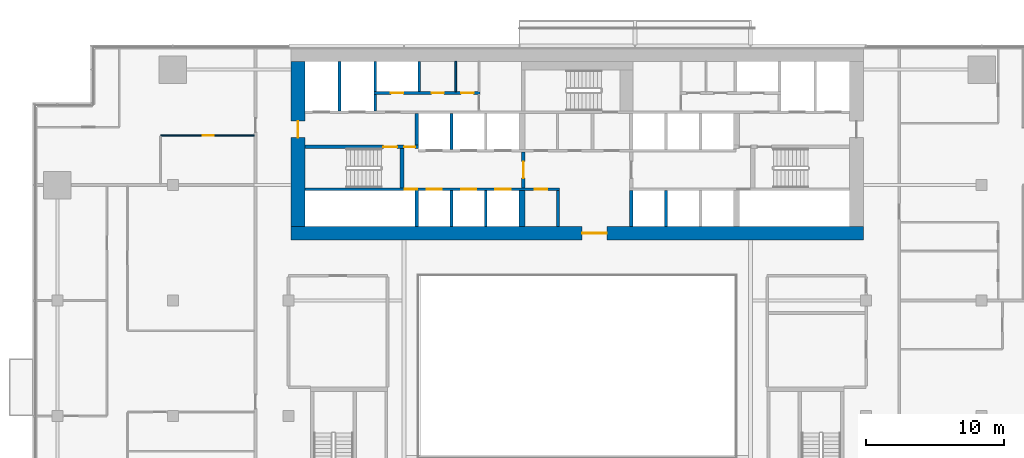
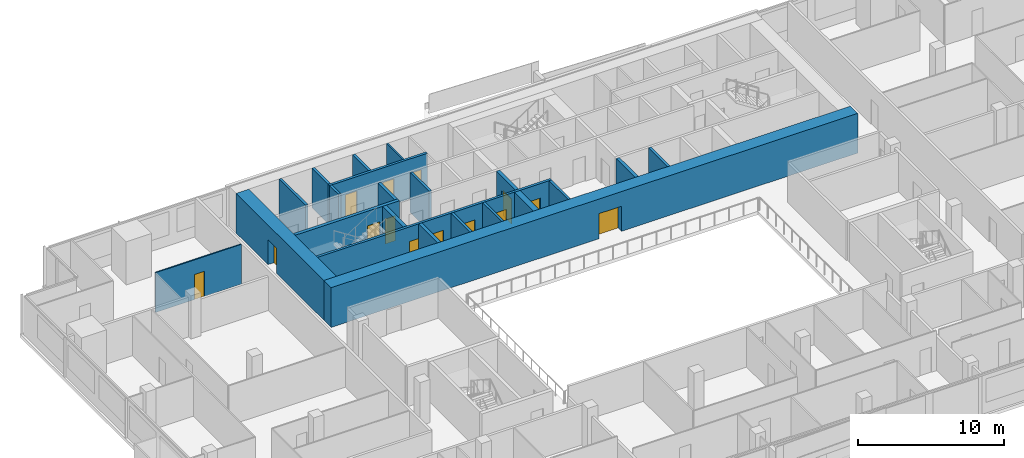
# One storey, part 20 of 26: 22 walls, 14 doors, 14 openings.
"""IFC4 building model written with IfcOpenShell, lengths in metres."""

from ifc_helpers import new_model, si_unit, direction, frame, frame_2d, origin, place, context, subcontext, project, spatial, rectangle, extrude, material, layer, layer_set, type_object, element, fill, save


model = new_model("IFC4")

# Units and contexts
model_context = context("Model", 3, precision=1e-05, world=origin(), true_north=direction((0.0, 1.0)))
body_context = subcontext(model_context, "Body", "Model", "MODEL_VIEW")
ifc_project = project(units=[si_unit("LENGTHUNIT", "METRE"), si_unit("AREAUNIT", "SQUARE_METRE"), si_unit("VOLUMEUNIT", "CUBIC_METRE"), si_unit("PLANEANGLEUNIT", "RADIAN"), si_unit("MASSUNIT", "GRAM", prefix="KILO")], contexts=[model_context])

# Site, building, storey
site_placement = place(None, origin())
site = spatial("IfcSite", under=ifc_project, at=site_placement, CompositionType="ELEMENT")
building_placement = place(site_placement, origin())
building = spatial("IfcBuilding", under=site, at=building_placement, Name="Saffron Gate Tower", CompositionType="ELEMENT")
storey_placement = place(building_placement, frame((0.0, 0.0, 120.449951171875)))
storey = spatial("IfcBuildingStorey", under=building, at=storey_placement, Name="L28", CompositionType="ELEMENT", Elevation=120.449951171875)

# Wall
ifc_material_1 = material(Name="Gypsum board partition on steel studs", Category="steel")
ifc_layer_1 = layer(ifc_material_1, 0.199951171875)
ifc_layer_set_1 = layer_set([ifc_layer_1], Name="CW10 Core partition 200")
wall_type_1 = type_object("IfcWallType", Name="CW10 Core partition 200", PredefinedType="PARTITIONING", material=ifc_layer_set_1)
wall_1_placement = place(storey_placement, frame((86.199951171875, 62.39990234375, 0.0), z_axis=(0.0, 0.0, 1.0), x_axis=(0.0, 1.0, 0.0)))
element("IfcWall", 1, at=wall_1_placement, inside=storey, type_object=wall_type_1, Name="Wall CW10-L28-9", PredefinedType="PARTITIONING", context=body_context, shape_type="SweptSolid", body=[
    extrude(rectangle(XDim=2.60009765625, YDim=0.199951171875, at=frame_2d((1.300048828125, 0.0))), origin(), (0.0, 0.0, 1.0), 3.320068359375),
])

# Wall, opening, door
ifc_material_2 = material(Name="Concrete C70", Category="concrete")
ifc_layer_2 = layer(ifc_material_2, 1.0)
ifc_layer_set_2 = layer_set([ifc_layer_2], Name="CW12 RC core wall 1000 C70")
wall_type_2 = type_object("IfcWallType", Name="CW12 RC core wall 1000 C70", PredefinedType="SOLIDWALL", material=ifc_layer_set_2)
wall_2_placement = place(storey_placement, frame((66.800048828125, 61.89990234375, 0.0), z_axis=(0.0, 0.0, 1.0), x_axis=(1.0, 0.0, 0.0)))
wall_2 = element("IfcWall", 2, at=wall_2_placement, inside=storey, type_object=wall_type_2, Name="Wall CW12-L28-1", PredefinedType="SOLIDWALL", context=body_context, shape_type="SweptSolid", body=[
    extrude(rectangle(XDim=41.599853515625, YDim=1.0, at=frame_2d((20.7998046875, 0.0))), origin(), (0.0, 0.0, 1.0), 3.320068359375),
])
opening_1_placement = place(wall_2_placement, frame((21.14990234375, 0.0, 0.0)))
opening_1 = element("IfcOpeningElement", 3, at=opening_1_placement, cuts=wall_2, Name="Opening CR-09", PredefinedType="OPENING", context=body_context, shape_type="SweptSolid", body=[
    extrude(rectangle(XDim=1.800048828125, YDim=2.10009765625, at=frame_2d((0.89990234375, 1.050048828125))), frame((0.0, 0.510009765625, 0.0), z_axis=(0.0, -1.0, 0.0), x_axis=(1.0, 0.0, 0.0)), (0.0, 0.0, 1.0), 1.02001953125),
])
ifc_material_3 = material(Name="Steel fire door set", Category="steel")
door_type_1 = type_object("IfcDoorType", Name="CD1 Core entrance door 1800x2100 EI 120", OperationType="NOTDEFINED", PredefinedType="DOOR", material=ifc_material_3)
door_1_placement = place(opening_1_placement, origin())
door_1 = element("IfcDoor", 4, at=door_1_placement, inside=storey, type_object=door_type_1, Name="DOOR CR-09", OperationType="DOUBLE_DOOR_SINGLE_SWING", OverallHeight=2.10009765625, OverallWidth=1.800048828125, PredefinedType="DOOR", context=body_context, shape_type="SweptSolid", body=[
    extrude(rectangle(XDim=1.800048828125, YDim=2.10009765625, at=frame_2d((0.89990234375, 1.050048828125))), frame((0.0, 0.02490234375, 0.0), z_axis=(0.0, -1.0, 0.0), x_axis=(1.0, 0.0, 0.0)), (0.0, 0.0, 1.0), 0.050048828125),
])
fill(opening_1, door_1)

wall_3_placement = place(storey_placement, frame((67.300048828125, 62.39990234375, 0.0), z_axis=(0.0, 0.0, 1.0), x_axis=(0.0, 1.0, 0.0)))
wall_3 = element("IfcWall", 5, at=wall_3_placement, inside=storey, type_object=wall_type_2, Name="Wall CW12-L28-3", PredefinedType="SOLIDWALL", context=body_context, shape_type="SweptSolid", body=[
    extrude(rectangle(XDim=12.0, YDim=1.0, at=frame_2d((6.0, 0.0))), origin(), (0.0, 0.0, 1.0), 3.320068359375),
])
opening_2_placement = place(wall_3_placement, frame((6.449951171875, 0.0, 0.0)))
opening_2 = element("IfcOpeningElement", 6, at=opening_2_placement, cuts=wall_3, Name="Opening CR-10", PredefinedType="OPENING", context=body_context, shape_type="SweptSolid", body=[
    extrude(rectangle(XDim=1.199951171875, YDim=2.10009765625, at=frame_2d((0.60009765625, 1.050048828125))), frame((0.0, 0.510009765625, 0.0), z_axis=(0.0, -1.0, 0.0), x_axis=(1.0, 0.0, 0.0)), (0.0, 0.0, 1.0), 1.02001953125),
])
door_type_2 = type_object("IfcDoorType", Name="CD7 Core entrance door 1200x2100 EI 120", OperationType="NOTDEFINED", PredefinedType="DOOR", material=ifc_material_3)
door_2_placement = place(opening_2_placement, origin())
door_2 = element("IfcDoor", 7, at=door_2_placement, inside=storey, type_object=door_type_2, Name="DOOR CR-10", OperationType="SINGLE_SWING_LEFT", OverallHeight=2.10009765625, OverallWidth=1.199951171875, PredefinedType="DOOR", context=body_context, shape_type="SweptSolid", body=[
    extrude(rectangle(XDim=1.199951171875, YDim=2.10009765625, at=frame_2d((0.60009765625, 1.050048828125))), frame((0.0, 0.02490234375, 0.0), z_axis=(0.0, -1.0, 0.0), x_axis=(1.0, 0.0, 0.0)), (0.0, 0.0, 1.0), 0.050048828125),
])
fill(opening_2, door_2)

# Walls
ifc_layer_3 = layer(ifc_material_2, 0.25)
ifc_layer_set_3 = layer_set([ifc_layer_3], Name="CW2 RC core wall 250 C70")
wall_type_3 = type_object("IfcWallType", Name="CW2 RC core wall 250 C70", PredefinedType="SOLIDWALL", material=ifc_layer_set_3)
for number, where, z_axis, x_axis, name in (
    (8, (75.925048828125, 62.39990234375, 0.0), (0.0, 0.0, 1.0), (0.0, 1.0, 0.0), "Wall CW2-L28-5"),
    (9, (91.52490234375, 62.39990234375, 0.0), (0.0, 0.0, 1.0), (0.0, 1.0, 0.0), "Wall CW2-L28-10"),
):
    element("IfcWall", number, at=place(storey_placement, frame(where, z_axis=z_axis, x_axis=x_axis)), inside=storey, type_object=wall_type_3, Name=name, PredefinedType="SOLIDWALL", context=body_context, shape_type="SweptSolid", body=[
        extrude(rectangle(XDim=2.60009765625, YDim=0.25, at=frame_2d((1.300048828125, 0.0))), origin(), (0.0, 0.0, 1.0), 3.320068359375),
    ])

# Wall, opening, door
wall_4_placement = place(storey_placement, frame((83.675048828125, 65.199951171875, 0.0), z_axis=(0.0, 0.0, 1.0), x_axis=(0.0, 1.0, 0.0)))
wall_4 = element("IfcWall", 10, at=wall_4_placement, inside=storey, type_object=wall_type_3, Name="Wall CW2-L28-17", PredefinedType="SOLIDWALL", context=body_context, shape_type="SweptSolid", body=[
    extrude(rectangle(XDim=2.60009765625, YDim=0.25, at=frame_2d((1.300048828125, 0.0))), origin(), (0.0, 0.0, 1.0), 3.320068359375),
])
opening_3_placement = place(wall_4_placement, frame((0.699951171875, 0.0, 0.0)))
opening_3 = element("IfcOpeningElement", 11, at=opening_3_placement, cuts=wall_4, Name="Opening CR-07", PredefinedType="OPENING", context=body_context, shape_type="SweptSolid", body=[
    extrude(rectangle(XDim=1.199951171875, YDim=2.10009765625, at=frame_2d((0.60009765625, 1.050048828125))), frame((0.0, 0.135009765625, 0.0), z_axis=(0.0, -1.0, 0.0), x_axis=(1.0, 0.0, 0.0)), (0.0, 0.0, 1.0), 0.27001953125),
])
door_type_3 = type_object("IfcDoorType", Name="CD3 Lobby door 1200x2100 EI 120", OperationType="NOTDEFINED", PredefinedType="DOOR", material=ifc_material_3)
door_3_placement = place(opening_3_placement, origin())
door_3 = element("IfcDoor", 12, at=door_3_placement, inside=storey, type_object=door_type_3, Name="DOOR CR-07", OperationType="SINGLE_SWING_RIGHT", OverallHeight=2.10009765625, OverallWidth=1.199951171875, PredefinedType="DOOR", context=body_context, shape_type="SweptSolid", body=[
    extrude(rectangle(XDim=1.199951171875, YDim=2.10009765625, at=frame_2d((0.60009765625, 1.050048828125))), frame((0.0, 0.02490234375, 0.0), z_axis=(0.0, -1.0, 0.0), x_axis=(1.0, 0.0, 0.0)), (0.0, 0.0, 1.0), 0.050048828125),
])
fill(opening_3, door_3)

# Wall, openings, doors
wall_5_placement = place(storey_placement, frame((67.800048828125, 68.175048828125, 0.0), z_axis=(0.0, 0.0, 1.0), x_axis=(1.0, 0.0, 0.0)))
wall_5 = element("IfcWall", 13, at=wall_5_placement, inside=storey, type_object=wall_type_3, Name="Wall CW2-L28-30", PredefinedType="SOLIDWALL", context=body_context, shape_type="SweptSolid", body=[
    extrude(rectangle(XDim=8.25, YDim=0.25, at=frame_2d((4.125, 0.0))), origin(), (0.0, 0.0, 1.0), 3.320068359375),
])
opening_4_placement = place(wall_5_placement, frame((5.699951171875, 0.0, 0.0)))
opening_4 = element("IfcOpeningElement", 14, at=opening_4_placement, cuts=wall_5, Name="Opening CR-15", PredefinedType="OPENING", context=body_context, shape_type="SweptSolid", body=[
    extrude(rectangle(XDim=1.0, YDim=2.10009765625, at=frame_2d((0.5, 1.050048828125))), frame((0.0, 0.135009765625, 0.0), z_axis=(0.0, -1.0, 0.0), x_axis=(1.0, 0.0, 0.0)), (0.0, 0.0, 1.0), 0.27001953125),
])
opening_5_placement = place(wall_5_placement, frame((7.199951171875, 0.0, 0.0)))
opening_5 = element("IfcOpeningElement", 15, at=opening_5_placement, cuts=wall_5, Name="Opening CR-06", PredefinedType="OPENING", context=body_context, shape_type="SweptSolid", body=[
    extrude(rectangle(XDim=0.800048828125, YDim=2.10009765625, at=frame_2d((0.39990234375, 1.050048828125))), frame((0.0, 0.135009765625, 0.0), z_axis=(0.0, -1.0, 0.0), x_axis=(1.0, 0.0, 0.0)), (0.0, 0.0, 1.0), 0.27001953125),
])
door_type_4 = type_object("IfcDoorType", Name="CD5 Stair door 1000x2100 EI 120", OperationType="NOTDEFINED", PredefinedType="DOOR", material=ifc_material_3)
door_4_placement = place(opening_4_placement, origin())
door_4 = element("IfcDoor", 16, at=door_4_placement, inside=storey, type_object=door_type_4, Name="DOOR CR-15", OperationType="SINGLE_SWING_RIGHT", OverallHeight=2.10009765625, OverallWidth=1.0, PredefinedType="DOOR", context=body_context, shape_type="SweptSolid", body=[
    extrude(rectangle(XDim=1.0, YDim=2.10009765625, at=frame_2d((0.5, 1.050048828125))), frame((0.0, 0.02490234375, 0.0), z_axis=(0.0, -1.0, 0.0), x_axis=(1.0, 0.0, 0.0)), (0.0, 0.0, 1.0), 0.050048828125),
])
fill(opening_4, door_4)
door_type_5 = type_object("IfcDoorType", Name="CD6 Lobby door 800x2100 EI 120", OperationType="NOTDEFINED", PredefinedType="DOOR", material=ifc_material_3)
door_5_placement = place(opening_5_placement, origin())
door_5 = element("IfcDoor", 17, at=door_5_placement, inside=storey, type_object=door_type_5, Name="DOOR CR-06", OperationType="SINGLE_SWING_LEFT", OverallHeight=2.10009765625, OverallWidth=0.800048828125, PredefinedType="DOOR", context=body_context, shape_type="SweptSolid", body=[
    extrude(rectangle(XDim=0.800048828125, YDim=2.10009765625, at=frame_2d((0.39990234375, 1.050048828125))), frame((0.0, 0.02490234375, 0.0), z_axis=(0.0, -1.0, 0.0), x_axis=(1.0, 0.0, 0.0)), (0.0, 0.0, 1.0), 0.050048828125),
])
fill(opening_5, door_5)

# Walls
wall_6_placement = place(storey_placement, frame((75.925048828125, 68.300048828125, 0.0), z_axis=(0.0, 0.0, 1.0), x_axis=(0.0, 1.0, 0.0)))
element("IfcWall", 18, at=wall_6_placement, inside=storey, type_object=wall_type_3, Name="Wall CW2-L28-32", PredefinedType="SOLIDWALL", context=body_context, shape_type="SweptSolid", body=[
    extrude(rectangle(XDim=2.300048828125, YDim=0.25, at=frame_2d((1.14990234375, 0.0))), origin(), (0.0, 0.0, 1.0), 3.320068359375),
])
ifc_layer_4 = layer(ifc_material_2, 0.199951171875)
ifc_layer_set_4 = layer_set([ifc_layer_4], Name="CW3 RC core wall 200 C70")
wall_type_4 = type_object("IfcWallType", Name="CW3 RC core wall 200 C70", PredefinedType="SOLIDWALL", material=ifc_layer_set_4)
for number, where, z_axis, x_axis, name in (
    (19, (78.449951171875, 62.39990234375, 0.0), (0.0, 0.0, 1.0), (0.0, 1.0, 0.0), "Wall CW3-L28-6"),
    (20, (80.949951171875, 62.39990234375, 0.0), (0.0, 0.0, 1.0), (0.0, 1.0, 0.0), "Wall CW3-L28-7"),
    (21, (94.050048828125, 62.39990234375, 0.0), (0.0, 0.0, 1.0), (0.0, 1.0, 0.0), "Wall CW3-L28-11"),
):
    element("IfcWall", number, at=place(storey_placement, frame(where, z_axis=z_axis, x_axis=x_axis)), inside=storey, type_object=wall_type_4, Name=name, PredefinedType="SOLIDWALL", context=body_context, shape_type="SweptSolid", body=[
        extrude(rectangle(XDim=2.60009765625, YDim=0.199951171875, at=frame_2d((1.300048828125, 0.0))), origin(), (0.0, 0.0, 1.0), 3.320068359375),
    ])

# Wall, openings, doors
wall_7_placement = place(storey_placement, frame((67.800048828125, 65.10009765625, 0.0), z_axis=(0.0, 0.0, 1.0), x_axis=(1.0, 0.0, 0.0)))
wall_7 = element("IfcWall", 22, at=wall_7_placement, inside=storey, type_object=wall_type_4, Name="Wall CW3-L28-14", PredefinedType="SOLIDWALL", context=body_context, shape_type="SweptSolid", body=[
    extrude(rectangle(XDim=18.5, YDim=0.199951171875, at=frame_2d((9.25, 0.0))), origin(), (0.0, 0.0, 1.0), 3.320068359375),
])
opening_6_placement = place(wall_7_placement, frame((7.27001953125, 0.0, 0.0)))
opening_6 = element("IfcOpeningElement", 23, at=opening_6_placement, cuts=wall_7, Name="Opening CR-49", PredefinedType="OPENING", context=body_context, shape_type="SweptSolid", body=[
    extrude(rectangle(XDim=0.89990234375, YDim=2.10009765625, at=frame_2d((0.449951171875, 1.050048828125))), frame((0.0, 0.10986328125, 0.0), z_axis=(0.0, -1.0, 0.0), x_axis=(1.0, 0.0, 0.0)), (0.0, 0.0, 1.0), 0.219970703125),
])
opening_7_placement = place(wall_7_placement, frame((8.85009765625, 0.0, 0.0)))
opening_7 = element("IfcOpeningElement", 24, at=opening_7_placement, cuts=wall_7, Name="Opening LD-LR1", PredefinedType="OPENING", context=body_context, shape_type="SweptSolid", body=[
    extrude(rectangle(XDim=1.10009765625, YDim=2.10009765625, at=frame_2d((0.550048828125, 1.050048828125))), frame((0.0, 0.10986328125, 0.0), z_axis=(0.0, -1.0, 0.0), x_axis=(1.0, 0.0, 0.0)), (0.0, 0.0, 1.0), 0.219970703125),
])
opening_8_placement = place(wall_7_placement, frame((11.35009765625, 0.0, 0.0)))
opening_8 = element("IfcOpeningElement", 25, at=opening_8_placement, cuts=wall_7, Name="Opening LD-LR2", PredefinedType="OPENING", context=body_context, shape_type="SweptSolid", body=[
    extrude(rectangle(XDim=1.10009765625, YDim=2.10009765625, at=frame_2d((0.550048828125, 1.050048828125))), frame((0.0, 0.10986328125, 0.0), z_axis=(0.0, -1.0, 0.0), x_axis=(1.0, 0.0, 0.0)), (0.0, 0.0, 1.0), 0.219970703125),
])
opening_9_placement = place(wall_7_placement, frame((13.85009765625, 0.0, 0.0)))
opening_9 = element("IfcOpeningElement", 26, at=opening_9_placement, cuts=wall_7, Name="Opening LD-LR3", PredefinedType="OPENING", context=body_context, shape_type="SweptSolid", body=[
    extrude(rectangle(XDim=1.10009765625, YDim=2.10009765625, at=frame_2d((0.550048828125, 1.050048828125))), frame((0.0, 0.10986328125, 0.0), z_axis=(0.0, -1.0, 0.0), x_axis=(1.0, 0.0, 0.0)), (0.0, 0.0, 1.0), 0.219970703125),
])
opening_10_placement = place(wall_7_placement, frame((16.699951171875, 0.0, 0.0)))
opening_10 = element("IfcOpeningElement", 27, at=opening_10_placement, cuts=wall_7, Name="Opening CR-69", PredefinedType="OPENING", context=body_context, shape_type="SweptSolid", body=[
    extrude(rectangle(XDim=0.89990234375, YDim=2.10009765625, at=frame_2d((0.449951171875, 1.050048828125))), frame((0.0, 0.10986328125, 0.0), z_axis=(0.0, -1.0, 0.0), x_axis=(1.0, 0.0, 0.0)), (0.0, 0.0, 1.0), 0.219970703125),
])
door_type_6 = type_object("IfcDoorType", Name="CD2 Riser door 900x2100 EI 60", OperationType="NOTDEFINED", PredefinedType="DOOR", material=ifc_material_3)
door_6_placement = place(opening_6_placement, origin())
door_6 = element("IfcDoor", 28, at=door_6_placement, inside=storey, type_object=door_type_6, Name="DOOR CR-49", OperationType="SINGLE_SWING_LEFT", OverallHeight=2.10009765625, OverallWidth=0.89990234375, PredefinedType="DOOR", context=body_context, shape_type="SweptSolid", body=[
    extrude(rectangle(XDim=0.89990234375, YDim=2.10009765625, at=frame_2d((0.449951171875, 1.050048828125))), frame((0.0, 0.02490234375, 0.0), z_axis=(0.0, -1.0, 0.0), x_axis=(1.0, 0.0, 0.0)), (0.0, 0.0, 1.0), 0.050048828125),
])
fill(opening_6, door_6)
door_type_7 = type_object("IfcDoorType", Name="CD9 Room door 900x2100 EI 60", OperationType="NOTDEFINED", PredefinedType="DOOR", material=ifc_material_3)
door_7_placement = place(opening_10_placement, origin())
door_7 = element("IfcDoor", 29, at=door_7_placement, inside=storey, type_object=door_type_7, Name="DOOR CR-69", OperationType="SINGLE_SWING_RIGHT", OverallHeight=2.10009765625, OverallWidth=0.89990234375, PredefinedType="DOOR", context=body_context, shape_type="SweptSolid", body=[
    extrude(rectangle(XDim=0.89990234375, YDim=2.10009765625, at=frame_2d((0.449951171875, 1.050048828125))), frame((0.0, 0.02490234375, 0.0), z_axis=(0.0, -1.0, 0.0), x_axis=(1.0, 0.0, 0.0)), (0.0, 0.0, 1.0), 0.050048828125),
])
fill(opening_10, door_7)
ifc_material_4 = material(Name="Stainless steel landing door", Category="steel")
door_type_8 = type_object("IfcDoorType", Name="LD Lift landing door 1100x2100 EI 120", OperationType="SLIDING_TO_LEFT", PredefinedType="DOOR", material=ifc_material_4)
door_8_placement = place(opening_7_placement, origin())
door_8 = element("IfcDoor", 30, at=door_8_placement, inside=storey, type_object=door_type_8, Name="LANDING DOOR LD-LR1", OperationType="SLIDING_TO_LEFT", OverallHeight=2.10009765625, OverallWidth=1.10009765625, PredefinedType="DOOR", context=body_context, shape_type="SweptSolid", body=[
    extrude(rectangle(XDim=1.10009765625, YDim=2.10009765625, at=frame_2d((0.550048828125, 1.050048828125))), frame((0.0, 0.02490234375, 0.0), z_axis=(0.0, -1.0, 0.0), x_axis=(1.0, 0.0, 0.0)), (0.0, 0.0, 1.0), 0.050048828125),
])
fill(opening_7, door_8)
door_9_placement = place(opening_8_placement, origin())
door_9 = element("IfcDoor", 31, at=door_9_placement, inside=storey, type_object=door_type_8, Name="LANDING DOOR LD-LR2", OperationType="SLIDING_TO_LEFT", OverallHeight=2.10009765625, OverallWidth=1.10009765625, PredefinedType="DOOR", context=body_context, shape_type="SweptSolid", body=[
    extrude(rectangle(XDim=1.10009765625, YDim=2.10009765625, at=frame_2d((0.550048828125, 1.050048828125))), frame((0.0, 0.02490234375, 0.0), z_axis=(0.0, -1.0, 0.0), x_axis=(1.0, 0.0, 0.0)), (0.0, 0.0, 1.0), 0.050048828125),
])
fill(opening_8, door_9)
door_10_placement = place(opening_9_placement, origin())
door_10 = element("IfcDoor", 32, at=door_10_placement, inside=storey, type_object=door_type_8, Name="LANDING DOOR LD-LR3", OperationType="SLIDING_TO_LEFT", OverallHeight=2.10009765625, OverallWidth=1.10009765625, PredefinedType="DOOR", context=body_context, shape_type="SweptSolid", body=[
    extrude(rectangle(XDim=1.10009765625, YDim=2.10009765625, at=frame_2d((0.550048828125, 1.050048828125))), frame((0.0, 0.02490234375, 0.0), z_axis=(0.0, -1.0, 0.0), x_axis=(1.0, 0.0, 0.0)), (0.0, 0.0, 1.0), 0.050048828125),
])
fill(opening_9, door_10)

# Walls
wall_8_placement = place(storey_placement, frame((78.449951171875, 68.0, 0.0), z_axis=(0.0, 0.0, 1.0), x_axis=(0.0, 1.0, 0.0)))
element("IfcWall", 33, at=wall_8_placement, inside=storey, type_object=wall_type_4, Name="Wall CW3-L28-21", PredefinedType="SOLIDWALL", context=body_context, shape_type="SweptSolid", body=[
    extrude(rectangle(XDim=2.60009765625, YDim=0.199951171875, at=frame_2d((1.300048828125, 0.0))), origin(), (0.0, 0.0, 1.0), 3.320068359375),
])
wall_9_placement = place(storey_placement, frame((70.300048828125, 70.800048828125, 0.0), z_axis=(0.0, 0.0, 1.0), x_axis=(0.0, 1.0, 0.0)))
element("IfcWall", 34, at=wall_9_placement, inside=storey, type_object=wall_type_4, Name="Wall CW3-L28-35", PredefinedType="SOLIDWALL", context=body_context, shape_type="SweptSolid", body=[
    extrude(rectangle(XDim=3.599853515625, YDim=0.199951171875, at=frame_2d((1.7998046875, 0.0))), origin(), (0.0, 0.0, 1.0), 3.320068359375),
])
wall_10_placement = place(storey_placement, frame((72.89990234375, 70.800048828125, 0.0), z_axis=(0.0, 0.0, 1.0), x_axis=(0.0, 1.0, 0.0)))
element("IfcWall", 35, at=wall_10_placement, inside=storey, type_object=wall_type_4, Name="Wall CW3-L28-36", PredefinedType="SOLIDWALL", context=body_context, shape_type="SweptSolid", body=[
    extrude(rectangle(XDim=1.199951171875, YDim=0.199951171875, at=frame_2d((0.60009765625, 0.0))), origin(), (0.0, 0.0, 1.0), 3.320068359375),
])

# Wall, openings, doors
wall_11_placement = place(storey_placement, frame((72.800048828125, 72.10009765625, 0.0), z_axis=(0.0, 0.0, 1.0), x_axis=(1.0, 0.0, 0.0)))
wall_11 = element("IfcWall", 36, at=wall_11_placement, inside=storey, type_object=wall_type_4, Name="Wall CW3-L28-43", PredefinedType="SOLIDWALL", context=body_context, shape_type="SweptSolid", body=[
    extrude(rectangle(XDim=7.719970703125, YDim=0.199951171875, at=frame_2d((3.85986328125, 0.0))), origin(), (0.0, 0.0, 1.0), 3.320068359375),
])
opening_11_placement = place(wall_11_placement, frame((1.25, 0.0, 0.0)))
opening_11 = element("IfcOpeningElement", 37, at=opening_11_placement, cuts=wall_11, Name="Opening CR-71", PredefinedType="OPENING", context=body_context, shape_type="SweptSolid", body=[
    extrude(rectangle(XDim=0.89990234375, YDim=2.10009765625, at=frame_2d((0.449951171875, 1.050048828125))), frame((0.0, 0.10986328125, 0.0), z_axis=(0.0, -1.0, 0.0), x_axis=(1.0, 0.0, 0.0)), (0.0, 0.0, 1.0), 0.219970703125),
])
opening_12_placement = place(wall_11_placement, frame((4.199951171875, 0.0, 0.0)))
opening_12 = element("IfcOpeningElement", 38, at=opening_12_placement, cuts=wall_11, Name="Opening CR-55", PredefinedType="OPENING", context=body_context, shape_type="SweptSolid", body=[
    extrude(rectangle(XDim=0.89990234375, YDim=2.10009765625, at=frame_2d((0.449951171875, 1.050048828125))), frame((0.0, 0.10986328125, 0.0), z_axis=(0.0, -1.0, 0.0), x_axis=(1.0, 0.0, 0.0)), (0.0, 0.0, 1.0), 0.219970703125),
])
opening_13_placement = place(wall_11_placement, frame((6.360107421875, 0.0, 0.0)))
opening_13 = element("IfcOpeningElement", 39, at=opening_13_placement, cuts=wall_11, Name="Opening CR-58", PredefinedType="OPENING", context=body_context, shape_type="SweptSolid", body=[
    extrude(rectangle(XDim=0.89990234375, YDim=2.10009765625, at=frame_2d((0.449951171875, 1.050048828125))), frame((0.0, 0.10986328125, 0.0), z_axis=(0.0, -1.0, 0.0), x_axis=(1.0, 0.0, 0.0)), (0.0, 0.0, 1.0), 0.219970703125),
])
door_11_placement = place(opening_11_placement, origin())
door_11 = element("IfcDoor", 40, at=door_11_placement, inside=storey, type_object=door_type_6, Name="DOOR CR-71", OperationType="SINGLE_SWING_LEFT", OverallHeight=2.10009765625, OverallWidth=0.89990234375, PredefinedType="DOOR", context=body_context, shape_type="SweptSolid", body=[
    extrude(rectangle(XDim=0.89990234375, YDim=2.10009765625, at=frame_2d((0.449951171875, 1.050048828125))), frame((0.0, 0.02490234375, 0.0), z_axis=(0.0, -1.0, 0.0), x_axis=(1.0, 0.0, 0.0)), (0.0, 0.0, 1.0), 0.050048828125),
])
fill(opening_11, door_11)
door_12_placement = place(opening_12_placement, origin())
door_12 = element("IfcDoor", 41, at=door_12_placement, inside=storey, type_object=door_type_7, Name="DOOR CR-55", OperationType="SINGLE_SWING_LEFT", OverallHeight=2.10009765625, OverallWidth=0.89990234375, PredefinedType="DOOR", context=body_context, shape_type="SweptSolid", body=[
    extrude(rectangle(XDim=0.89990234375, YDim=2.10009765625, at=frame_2d((0.449951171875, 1.050048828125))), frame((0.0, 0.02490234375, 0.0), z_axis=(0.0, -1.0, 0.0), x_axis=(1.0, 0.0, 0.0)), (0.0, 0.0, 1.0), 0.050048828125),
])
fill(opening_12, door_12)
door_13_placement = place(opening_13_placement, origin())
door_13 = element("IfcDoor", 42, at=door_13_placement, inside=storey, type_object=door_type_7, Name="DOOR CR-58", OperationType="SINGLE_SWING_LEFT", OverallHeight=2.10009765625, OverallWidth=0.89990234375, PredefinedType="DOOR", context=body_context, shape_type="SweptSolid", body=[
    extrude(rectangle(XDim=0.89990234375, YDim=2.10009765625, at=frame_2d((0.449951171875, 1.050048828125))), frame((0.0, 0.02490234375, 0.0), z_axis=(0.0, -1.0, 0.0), x_axis=(1.0, 0.0, 0.0)), (0.0, 0.0, 1.0), 0.050048828125),
])
fill(opening_13, door_13)

# Walls
for number, where, z_axis, x_axis, name in (
    (43, (72.89990234375, 72.199951171875, 0.0), (0.0, 0.0, 1.0), (0.0, 1.0, 0.0), "Wall CW3-L28-45"),
    (44, (76.10009765625, 72.199951171875, 0.0), (0.0, 0.0, 1.0), (0.0, 1.0, 0.0), "Wall CW3-L28-46"),
):
    element("IfcWall", number, at=place(storey_placement, frame(where, z_axis=z_axis, x_axis=x_axis)), inside=storey, type_object=wall_type_4, Name=name, PredefinedType="SOLIDWALL", context=body_context, shape_type="SweptSolid", body=[
        extrude(rectangle(XDim=2.199951171875, YDim=0.199951171875, at=frame_2d((1.10009765625, 0.0))), origin(), (0.0, 0.0, 1.0), 3.320068359375),
    ])
ifc_layer_5 = layer(ifc_material_2, 0.449951171875)
ifc_layer_set_5 = layer_set([ifc_layer_5], Name="CW4 RC core wall 450 C70")
wall_type_5 = type_object("IfcWallType", Name="CW4 RC core wall 450 C70", PredefinedType="SOLIDWALL", material=ifc_layer_set_5)
wall_12_placement = place(storey_placement, frame((83.574951171875, 62.39990234375, 0.0), z_axis=(0.0, 0.0, 1.0), x_axis=(0.0, 1.0, 0.0)))
element("IfcWall", 45, at=wall_12_placement, inside=storey, type_object=wall_type_5, Name="Wall CW4-L28-8", PredefinedType="SOLIDWALL", context=body_context, shape_type="SweptSolid", body=[
    extrude(rectangle(XDim=2.60009765625, YDim=0.449951171875, at=frame_2d((1.300048828125, 0.0))), origin(), (0.0, 0.0, 1.0), 3.320068359375),
])
ifc_layer_6 = layer(ifc_material_2, 0.300048828125)
ifc_layer_set_6 = layer_set([ifc_layer_6], Name="CW5 RC core wall 300 C70")
wall_type_6 = type_object("IfcWallType", Name="CW5 RC core wall 300 C70", PredefinedType="SOLIDWALL", material=ifc_layer_set_6)
wall_13_placement = place(storey_placement, frame((74.85009765625, 65.199951171875, 0.0), z_axis=(0.0, 0.0, 1.0), x_axis=(0.0, 1.0, 0.0)))
element("IfcWall", 46, at=wall_13_placement, inside=storey, type_object=wall_type_6, Name="Wall CW5-L28-16", PredefinedType="SOLIDWALL", context=body_context, shape_type="SweptSolid", body=[
    extrude(rectangle(XDim=2.85009765625, YDim=0.300048828125, at=frame_2d((1.425048828125, 0.0))), origin(), (0.0, 0.0, 1.0), 3.320068359375),
])
ifc_layer_7 = layer(ifc_material_1, 0.1201171875)
ifc_layer_set_7 = layer_set([ifc_layer_7], Name="CW8 Core partition 120")
wall_type_7 = type_object("IfcWallType", Name="CW8 Core partition 120", PredefinedType="PARTITIONING", material=ifc_layer_set_7)
wall_14_placement = place(storey_placement, frame((78.760009765625, 72.199951171875, 0.0), z_axis=(0.0, 0.0, 1.0), x_axis=(0.0, 1.0, 0.0)))
element("IfcWall", 47, at=wall_14_placement, inside=storey, type_object=wall_type_7, Name="Wall CW8-L28-47", PredefinedType="PARTITIONING", context=body_context, shape_type="SweptSolid", body=[
    extrude(rectangle(XDim=2.199951171875, YDim=0.1201171875, at=frame_2d((1.10009765625, 0.0))), origin(), (0.0, 0.0, 1.0), 3.320068359375),
])

# Wall, opening, door
ifc_material_5 = material(Name="Plasterboard on steel studs", Category="steel")
ifc_layer_8 = layer(ifc_material_5, 0.10009765625)
ifc_layer_set_8 = layer_set([ifc_layer_8], Name="PW1 Partition 100")
wall_type_8 = type_object("IfcWallType", Name="PW1 Partition 100", PredefinedType="PARTITIONING", material=ifc_layer_set_8)
wall_15_placement = place(storey_placement, frame((64.10009765625, 69.0, 0.0), z_axis=(0.0, 0.0, 1.0), x_axis=(-1.0, 0.0, 0.0)))
wall_15 = element("IfcWall", 48, at=wall_15_placement, inside=storey, type_object=wall_type_8, Name="Partition B3-43", PredefinedType="PARTITIONING", context=body_context, shape_type="SweptSolid", body=[
    extrude(rectangle(XDim=6.800048828125, YDim=0.10009765625, at=frame_2d((3.39990234375, 0.0))), origin(), (0.0, 0.0, 1.0), 3.320068359375),
])
opening_14_placement = place(wall_15_placement, frame((2.949951171875, 0.0, 0.0)))
opening_14 = element("IfcOpeningElement", 49, at=opening_14_placement, cuts=wall_15, Name="Opening B3-40", PredefinedType="OPENING", context=body_context, shape_type="SweptSolid", body=[
    extrude(rectangle(XDim=0.800048828125, YDim=2.10009765625, at=frame_2d((0.39990234375, 1.050048828125))), frame((0.0, 0.06005859375, 0.0), z_axis=(0.0, -1.0, 0.0), x_axis=(1.0, 0.0, 0.0)), (0.0, 0.0, 1.0), 0.1201171875),
])
ifc_material_6 = material(Name="Timber door set", Category="wood")
door_type_9 = type_object("IfcDoorType", Name="RD2 Bathroom door 800x2100", OperationType="NOTDEFINED", PredefinedType="DOOR", material=ifc_material_6)
door_14_placement = place(opening_14_placement, origin())
door_14 = element("IfcDoor", 50, at=door_14_placement, inside=storey, type_object=door_type_9, Name="Door B3-40", OperationType="SINGLE_SWING_LEFT", OverallHeight=2.10009765625, OverallWidth=0.800048828125, PredefinedType="DOOR", context=body_context, shape_type="SweptSolid", body=[
    extrude(rectangle(XDim=0.800048828125, YDim=2.10009765625, at=frame_2d((0.39990234375, 1.050048828125))), frame((0.0, 0.02490234375, 0.0), z_axis=(0.0, -1.0, 0.0), x_axis=(1.0, 0.0, 0.0)), (0.0, 0.0, 1.0), 0.050048828125),
])
fill(opening_14, door_14)

save(model, "model.ifc")
